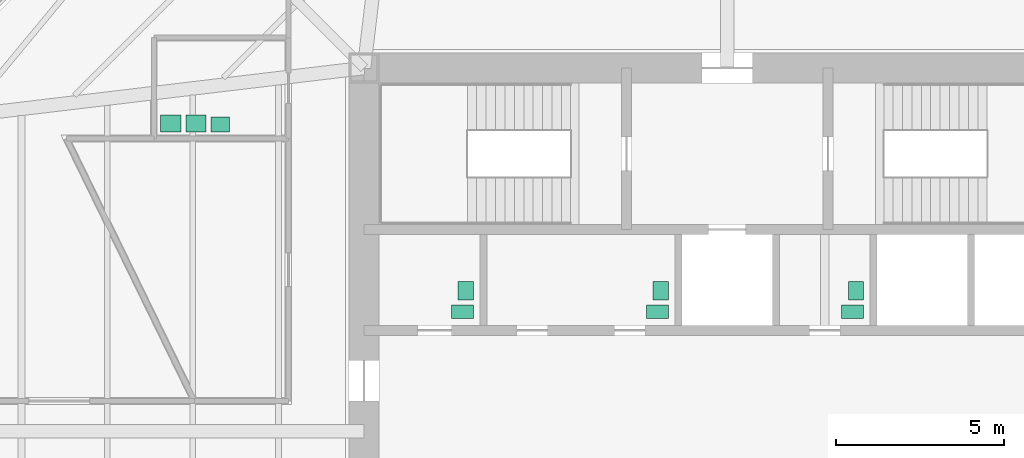
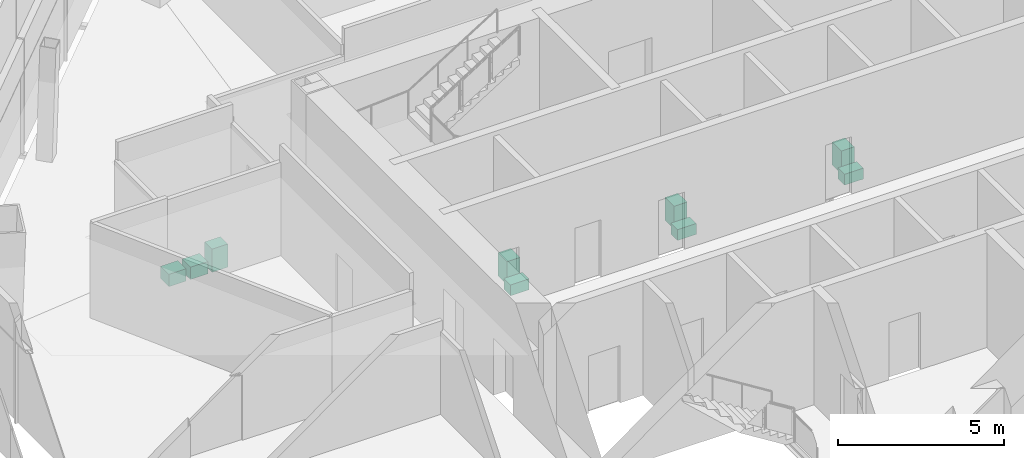
# One storey, part 14 of 14: 9 sanitary terminals.
"""IFC4 building model written with IfcOpenShell, lengths in metres."""

from ifc_helpers import new_model, si_unit, direction, frame, origin, origin_2d, place, context, subcontext, project, spatial, rectangle, extrude, material, type_object, element, save


model = new_model("IFC4")

# Units and contexts
model_context = context("Model", 3, precision=1e-05, world=origin(), true_north=direction((0.0, 1.0)))
body_context = subcontext(model_context, "Body", "Model", "MODEL_VIEW")
ifc_project = project(units=[si_unit("LENGTHUNIT", "METRE"), si_unit("AREAUNIT", "SQUARE_METRE"), si_unit("VOLUMEUNIT", "CUBIC_METRE"), si_unit("PLANEANGLEUNIT", "RADIAN"), si_unit("MASSUNIT", "GRAM", prefix="KILO")], contexts=[model_context])

# Site, building, storey
site_placement = place(None, origin())
site = spatial("IfcSite", under=ifc_project, at=site_placement, CompositionType="ELEMENT")
building_placement = place(site_placement, origin())
building = spatial("IfcBuilding", under=site, at=building_placement, Name="Mashrafa Tower", CompositionType="ELEMENT")
storey_placement = place(building_placement, frame((0.0, 0.0, 130.199951171875)))
storey = spatial("IfcBuildingStorey", under=building, at=storey_placement, Name="L29", CompositionType="ELEMENT", Elevation=130.199951171875)

# Sanitary terminals
ifc_material_1 = material(Name="Stainless steel", Category="steel")
sanitary_terminal_type_1 = type_object("IfcSanitaryTerminalType", Name="Ablution wash station 600 x 500", PredefinedType="WASHHANDBASIN", material=ifc_material_1)
for number, where, z_axis, x_axis, name in (
    (1, (-16.550048828125, 9.14990234375, 0.0), (0.0, 0.0, 1.0), (1.0, 0.0, 0.0), "Ablution wash station Ablution Room L29"),
    (2, (-15.800048828125, 9.14990234375, 0.0), (0.0, 0.0, 1.0), (1.0, 0.0, 0.0), "Ablution wash station Ablution Room L29"),
):
    element("IfcSanitaryTerminal", number, at=place(storey_placement, frame(where, z_axis=z_axis, x_axis=x_axis)), inside=storey, type_object=sanitary_terminal_type_1, Name=name, PredefinedType="WASHHANDBASIN", context=body_context, shape_type="SweptSolid", body=[
        extrude(rectangle(XDim=0.60009765625, YDim=0.5, at=origin_2d()), origin(), (0.0, 0.0, 1.0), 0.449951171875),
    ])
ifc_material_2 = material(Name="Vitreous china")
sanitary_terminal_type_2 = type_object("IfcSanitaryTerminalType", Name="Toilet pan 400 x 650", PredefinedType="TOILETPAN", material=ifc_material_2)
for number, where, z_axis, x_axis, name in (
    (3, (-7.875, 3.550048828125, 0.0), (0.0, 0.0, 1.0), (0.0, 1.0, 0.0), "Toilet pan Accessible WC L29"),
    (4, (-2.074951171875, 3.550048828125, 0.0), (0.0, 0.0, 1.0), (0.0, 1.0, 0.0), "Toilet pan WC Male L29"),
    (5, (3.72509765625, 3.550048828125, 0.0), (0.0, 0.0, 1.0), (0.0, 1.0, 0.0), "Toilet pan WC Female L29"),
):
    element("IfcSanitaryTerminal", number, at=place(storey_placement, frame(where, z_axis=z_axis, x_axis=x_axis)), inside=storey, type_object=sanitary_terminal_type_2, Name=name, PredefinedType="TOILETPAN", context=body_context, shape_type="SweptSolid", body=[
        extrude(rectangle(XDim=0.39990234375, YDim=0.64990234375, at=origin_2d()), origin(), (0.0, 0.0, 1.0), 0.39990234375),
    ])
ifc_material_3 = material(Name="Vitreous china")
sanitary_terminal_type_3 = type_object("IfcSanitaryTerminalType", Name="Wash basin 550 x 450", PredefinedType="WASHHANDBASIN", material=ifc_material_3)
for number, where, z_axis, x_axis, name in (
    (6, (-7.77490234375, 4.175048828125, 0.0), (0.0, 0.0, 1.0), (0.0, 1.0, 0.0), "Wash basin Accessible WC L29"),
    (7, (-1.97509765625, 4.175048828125, 0.0), (0.0, 0.0, 1.0), (0.0, 1.0, 0.0), "Wash basin WC Male L29"),
    (8, (3.824951171875, 4.175048828125, 0.0), (0.0, 0.0, 1.0), (0.0, 1.0, 0.0), "Wash basin WC Female L29"),
    (9, (-15.074951171875, 9.125, 0.0), (0.0, 0.0, 1.0), (1.0, 0.0, 0.0), "Wash basin Ablution Room L29"),
):
    element("IfcSanitaryTerminal", number, at=place(storey_placement, frame(where, z_axis=z_axis, x_axis=x_axis)), inside=storey, type_object=sanitary_terminal_type_3, Name=name, PredefinedType="WASHHANDBASIN", context=body_context, shape_type="SweptSolid", body=[
        extrude(rectangle(XDim=0.550048828125, YDim=0.449951171875, at=origin_2d()), origin(), (0.0, 0.0, 1.0), 0.85009765625),
    ])

save(model, "model.ifc")
